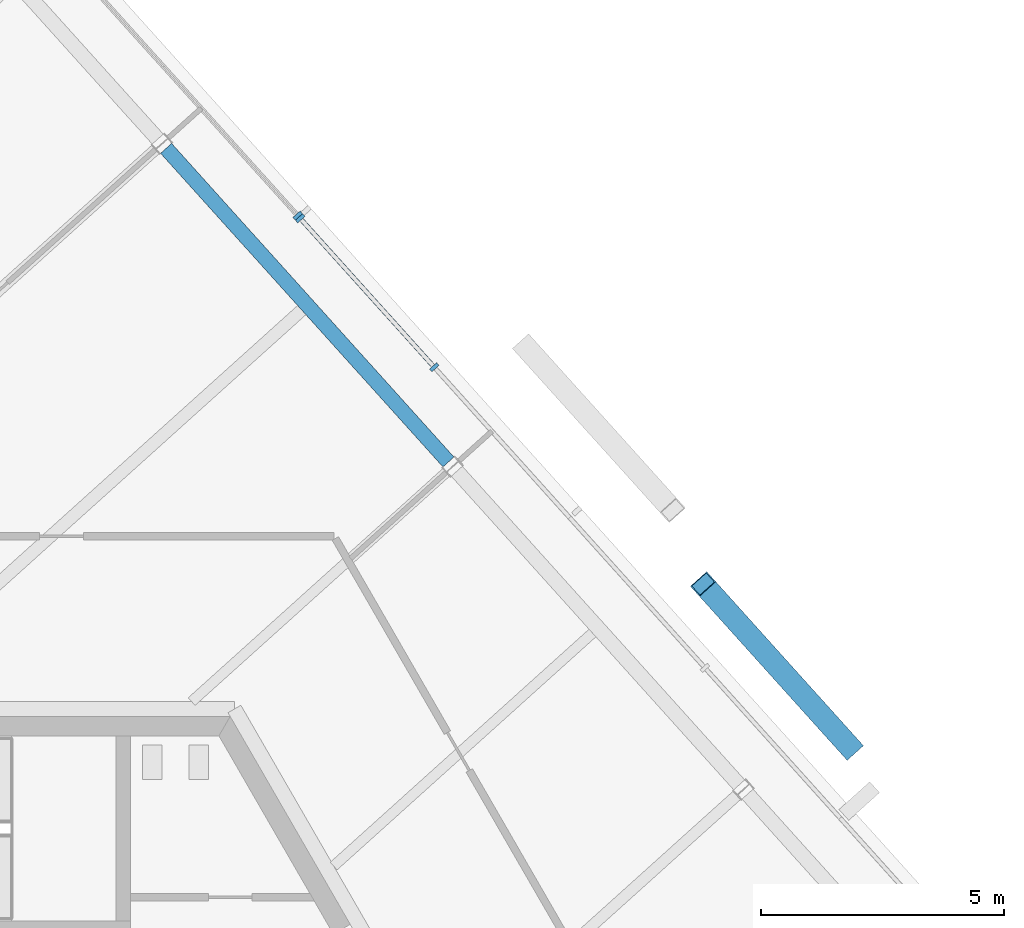
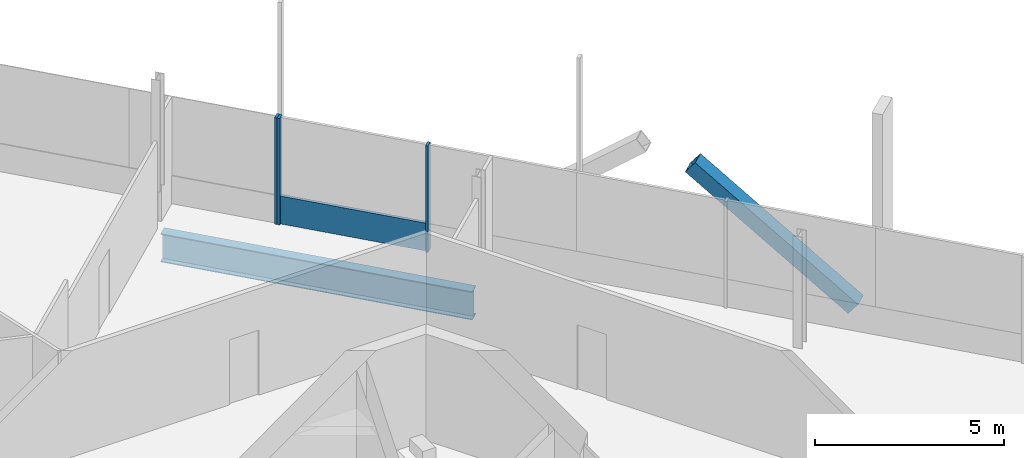
# One storey, part 8 of 17: 5 members, 1 beam, 2 elements without a shape of their own.
"""IFC4 building model written with IfcOpenShell, lengths in metres."""

from ifc_helpers import new_model, si_unit, direction, frame, origin, origin_2d, place, context, subcontext, project, spatial, rectangle, hollow_rectangle, i_section, extrude, source, transform, mapped, material, material_profile, profile_set, type_object, element, aggregate, save


model = new_model("IFC4")

# Units and contexts
model_context = context("Model", 3, precision=1e-05, world=origin(), true_north=direction((0.0, 1.0)))
body_context = subcontext(model_context, "Body", "Model", "MODEL_VIEW")
ifc_project = project(units=[si_unit("LENGTHUNIT", "METRE"), si_unit("AREAUNIT", "SQUARE_METRE"), si_unit("VOLUMEUNIT", "CUBIC_METRE"), si_unit("PLANEANGLEUNIT", "RADIAN"), si_unit("MASSUNIT", "GRAM", prefix="KILO")], contexts=[model_context])

# Site, building, storey
site_placement = place(None, origin())
site = spatial("IfcSite", under=ifc_project, at=site_placement, CompositionType="ELEMENT")
building_placement = place(site_placement, origin())
building = spatial("IfcBuilding", under=site, at=building_placement, Name="Triune Harvest Tower", CompositionType="ELEMENT")
storey_placement = place(building_placement, frame((0.0, 0.0, 273.89990234375)))
storey = spatial("IfcBuildingStorey", under=building, at=storey_placement, Name="L72", CompositionType="ELEMENT", Elevation=273.89990234375)

# Beam
ifc_material_1 = material(Name="Steel ASTM A992 Gr 50", Category="steel")
ifc_material_profile_1 = material_profile(ifc_material_1, i_section(OverallWidth=0.3046875, OverallDepth=0.914306640625, WebThickness=0.0166015625, FlangeThickness=0.02587890625, at=origin_2d()), Name="W36x160")
ifc_profile_set_1 = profile_set([ifc_material_profile_1], Name="Steel ASTM A992 Gr 50")
beam_type = type_object("IfcBeamType", Name="SB-1 Spandrel beam W36x160", PredefinedType="SPANDREL", material=ifc_profile_set_1)
shared_shape_1 = source(origin(), body_context, "Body", "SweptSolid", [
    extrude(i_section(OverallWidth=0.3046875, OverallDepth=0.914306640625, WebThickness=0.0166015625, FlangeThickness=0.02587890625, at=origin_2d()), origin(), (0.0, 0.0, 1.0), 8.67138671875),
])
beam_placement = place(storey_placement, frame((10.4853515625, 15.62060546875, -0.6171875), z_axis=(-0.669128044683, 0.743147132013, 0.0), x_axis=(-0.743147132013, -0.669128044683, 0.0)))
element("IfcBeam", 1, at=beam_placement, inside=storey, type_object=beam_type, Name="beam/L72/SB4", PredefinedType="SPANDREL", context=body_context, shape_type="MappedRepresentation", body=[
    mapped(shared_shape_1, transform((0.0, 0.0, 0.0), scale=1.0)),
])

# Member
ifc_material_2 = material(Name="Steel ASTM A572 Gr 50", Category="steel")
ifc_material_profile_2 = material_profile(ifc_material_2, hollow_rectangle(XDim=0.449951171875, YDim=0.449951171875, WallThickness=0.02490234375, at=origin_2d()), Name="Box 450x450x25")
ifc_profile_set_2 = profile_set([ifc_material_profile_2], Name="Steel ASTM A572 Gr 50")
member_type_1 = type_object("IfcMemberType", Name="BR-4 Brace Box 450x450x25", PredefinedType="BRACE", material=ifc_profile_set_2)
shared_shape_2 = source(origin(), body_context, "Body", "SweptSolid", [
    extrude(hollow_rectangle(XDim=0.449951171875, YDim=0.449951171875, WallThickness=0.02490234375, at=origin_2d()), origin(), (0.0, 0.0, 1.0), 5.7890625),
])
member_1_placement = place(storey_placement, frame((18.751220703125, 9.743896484375, 0.0), z_axis=(-0.523993401181, 0.581980598495, 0.621875790247), x_axis=(-0.743160244696, -0.669113481185, 0.0)))
element("IfcMember", 2, at=member_1_placement, inside=storey, type_object=member_type_1, Name="brace/B7-F1/d1/5", PredefinedType="BRACE", context=body_context, shape_type="MappedRepresentation", body=[
    mapped(shared_shape_2, transform((0.0, 0.0, 0.0), scale=1.0)),
])

# Curtain wall, members
ifc_material_3 = material(Name="Aluminium bronze anodised", Category="aluminium")
curtain_wall_type_1 = type_object("IfcCurtainWallType", Name="CW-7 Tower stick curtain wall with insulated spandrel infill", PredefinedType="NOTDEFINED", material=ifc_material_3)
curtain_wall_1_placement = place(storey_placement, origin())
curtain_wall_1 = element("IfcCurtainWall", 3, at=curtain_wall_1_placement, inside=storey, type_object=curtain_wall_type_1, Name="CW-7 B7-F1 L72 run 1001")
ifc_material_4 = material(Name="Aluminium bronze anodised", Category="aluminium")
ifc_material_profile_3 = material_profile(ifc_material_4, rectangle(XDim=0.199951171875, YDim=0.074951171875, at=origin_2d()), Name="MU-1 mullion 75 x 200")
ifc_profile_set_3 = profile_set([ifc_material_profile_3], Name="Aluminium bronze anodised")
member_type_2 = type_object("IfcMemberType", Name="MU-1 mullion 75 x 200", PredefinedType="MULLION", material=ifc_profile_set_3)
shared_shape_3 = source(origin(), body_context, "Body", "SweptSolid", [
    extrude(rectangle(XDim=0.199951171875, YDim=0.074951171875, at=origin_2d()), origin(), (0.0, 0.0, 1.0), 3.440185546875),
])
member_2_placement = place(storey_placement, frame((10.19384765625, 17.566650390625, 0.0), z_axis=(0.0, 0.0, 1.0), x_axis=(-0.74314408674, -0.669131426809, 0.0)))
member_2 = element("IfcMember", 4, at=member_2_placement, type_object=member_type_2, Name="CW-7 mullion B7-F1 1001.5", PredefinedType="MULLION", context=body_context, shape_type="MappedRepresentation", body=[
    mapped(shared_shape_3, transform((0.0, 0.0, 0.0), scale=1.0)),
])
member_3_placement = place(storey_placement, frame((7.438232421875, 20.627197265625, 0.0), z_axis=(0.0, 0.0, 1.0), x_axis=(-0.74314408674, -0.669131426809, 0.0)))
member_3 = element("IfcMember", 5, at=member_3_placement, type_object=member_type_2, Name="CW-7 mullion B7-F1 1001.6", PredefinedType="MULLION", context=body_context, shape_type="MappedRepresentation", body=[
    mapped(shared_shape_3, transform((0.0, 0.0, 0.0), scale=1.0)),
])

# Curtain wall, member
ifc_material_5 = material(Name="Aluminium bronze anodised", Category="aluminium")
curtain_wall_type_2 = type_object("IfcCurtainWallType", Name="CW-1 Tower stick curtain wall", PredefinedType="NOTDEFINED", material=ifc_material_5)
curtain_wall_2_placement = place(storey_placement, origin())
curtain_wall_2 = element("IfcCurtainWall", 6, at=curtain_wall_2_placement, inside=storey, type_object=curtain_wall_type_2, Name="CW-1 B7-F1 L72 run 2001")
member_4_placement = place(storey_placement, frame((7.387939453125, 20.682861328125, 0.0), z_axis=(0.0, 0.0, 1.0), x_axis=(-0.743144053222, -0.669131464034, 0.0)))
member_4 = element("IfcMember", 7, at=member_4_placement, type_object=member_type_2, Name="CW-1 mullion B7-F1 2001.1", PredefinedType="MULLION", context=body_context, shape_type="MappedRepresentation", body=[
    mapped(shared_shape_3, transform((0.0, 0.0, 0.0), scale=1.0)),
])
aggregate(curtain_wall_2, [member_4])

# Member
ifc_material_6 = material(Name="Aluminium bronze anodised", Category="aluminium")
ifc_material_profile_4 = material_profile(ifc_material_6, rectangle(XDim=0.090087890625, YDim=0.89990234375, at=origin_2d()), Name="TR-1 transom 90 x 900")
ifc_profile_set_4 = profile_set([ifc_material_profile_4], Name="Aluminium bronze anodised")
member_type_3 = type_object("IfcMemberType", Name="TR-1 transom 90 x 900", PredefinedType="USERDEFINED", material=ifc_profile_set_4)
shared_shape_4 = source(origin(), body_context, "Body", "SweptSolid", [
    extrude(rectangle(XDim=0.090087890625, YDim=0.89990234375, at=origin_2d()), origin(), (0.0, 0.0, 1.0), 4.043212890625),
])
member_5_placement = place(storey_placement, frame((10.168701171875, 17.5947265625, 0.4501953125), z_axis=(-0.669121516472, 0.743153009947, 0.0), x_axis=(-0.743153009947, -0.669121516472, 0.0)))
member_5 = element("IfcMember", 8, at=member_5_placement, type_object=member_type_3, Name="CW-7 transom B7-F1 1001.3", ObjectType="TRANSOM", PredefinedType="USERDEFINED", context=body_context, shape_type="MappedRepresentation", body=[
    mapped(shared_shape_4, transform((0.0, 0.0, 0.0), scale=1.0)),
])

aggregate(curtain_wall_1, [member_2, member_3, member_5])

save(model, "model.ifc")
